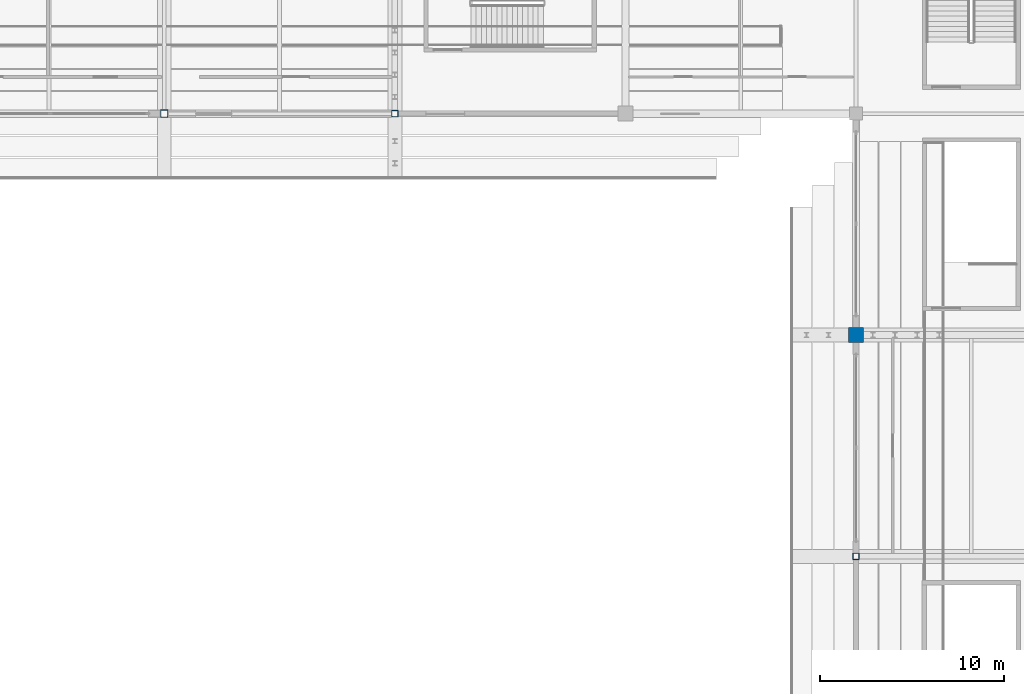
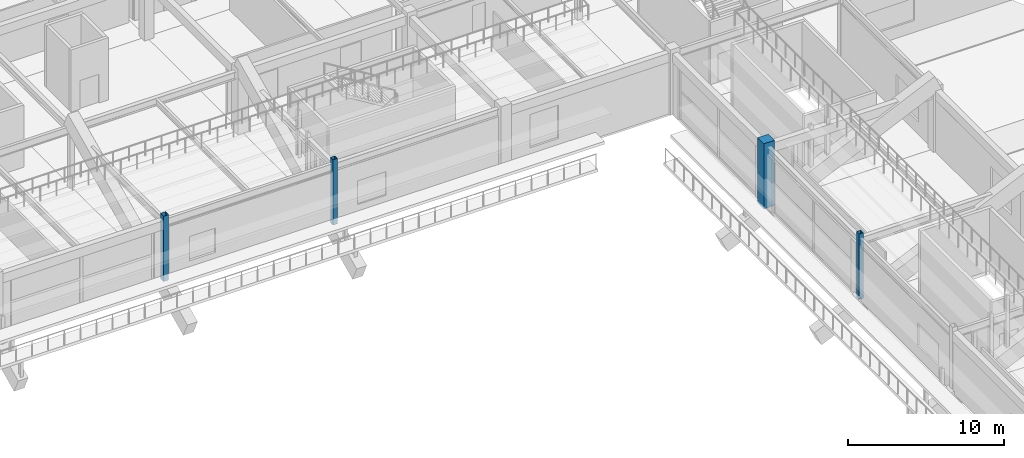
# One storey, part 16 of 128: 4 columns.
"""IFC4 building model written with IfcOpenShell, lengths in metres."""

from ifc_helpers import new_model, si_unit, direction, frame, origin, origin_2d, place, context, subcontext, project, spatial, rectangle, hollow_rectangle, extrude, material, material_profile, profile_set, type_object, element, save


model = new_model("IFC4")

# Units and contexts
model_context = context("Model", 3, precision=1e-05, world=origin(), true_north=direction((0.0, 1.0)))
body_context = subcontext(model_context, "Body", "Model", "MODEL_VIEW")
ifc_project = project(units=[si_unit("LENGTHUNIT", "METRE"), si_unit("AREAUNIT", "SQUARE_METRE"), si_unit("VOLUMEUNIT", "CUBIC_METRE"), si_unit("PLANEANGLEUNIT", "RADIAN"), si_unit("MASSUNIT", "GRAM", prefix="KILO")], contexts=[model_context])

# Site, building, storey
site_placement = place(None, origin())
site = spatial("IfcSite", under=ifc_project, at=site_placement, CompositionType="ELEMENT")
building_placement = place(site_placement, origin())
building = spatial("IfcBuilding", under=site, at=building_placement, Name="Kazenohara Klinker Stadium", CompositionType="ELEMENT")
storey_placement = place(building_placement, frame((0.0, 0.0, 15.300048828125)))
storey = spatial("IfcBuildingStorey", under=building, at=storey_placement, Name="L03", CompositionType="ELEMENT", Elevation=15.300048828125)

# Columns
ifc_material_1 = material(Name="Concrete C40/50", Category="concrete")
ifc_material_profile_1 = material_profile(ifc_material_1, rectangle(XDim=0.800048828125, YDim=0.800048828125, at=origin_2d()), Name="RC-COL-800x800")
ifc_profile_set_1 = profile_set([ifc_material_profile_1], Name="Concrete C40/50")
column_type_1 = type_object("IfcColumnType", Name="COL-RC05", PredefinedType="COLUMN", material=ifc_profile_set_1)
column_1_placement = place(storey_placement, frame((175.0, 120.0, 0.0), z_axis=(0.0, 0.0, 1.0), x_axis=(1.0, 0.0, 0.0)))
element("IfcColumn", 1, at=column_1_placement, inside=storey, type_object=column_type_1, Name="Column C05 L03 15/L", PredefinedType="COLUMN", context=body_context, shape_type="SweptSolid", body=[
    extrude(rectangle(XDim=0.800048828125, YDim=0.800048828125, at=origin_2d()), origin(), (0.0, 0.0, 1.0), 5.099853515625),
])
ifc_material_2 = material(Name="Steel S355", Category="steel")
ifc_material_profile_2 = material_profile(ifc_material_2, hollow_rectangle(XDim=0.39990234375, YDim=0.39990234375, WallThickness=0.01611328125, InnerFilletRadius=0.01611328125, OuterFilletRadius=0.031982421875, at=origin_2d()), Name="SHS-400x400x16")
ifc_profile_set_2 = profile_set([ifc_material_profile_2], Name="Steel S355")
column_type_2 = type_object("IfcColumnType", Name="COL-ST01", PredefinedType="COLUMN", material=ifc_profile_set_2)
column_2_placement = place(storey_placement, frame((137.5, 132.0, 0.0), z_axis=(0.0, 0.0, 1.0), x_axis=(1.0, 0.0, 0.0)))
element("IfcColumn", 2, at=column_2_placement, inside=storey, type_object=column_type_2, Name="Column SC01 L03 12/M", PredefinedType="COLUMN", context=body_context, shape_type="SweptSolid", body=[
    extrude(hollow_rectangle(XDim=0.39990234375, YDim=0.39990234375, WallThickness=0.01611328125, InnerFilletRadius=0.01611328125, OuterFilletRadius=0.031982421875, at=origin_2d()), origin(), (0.0, 0.0, 1.0), 5.099853515625),
])
ifc_material_profile_3 = material_profile(ifc_material_2, hollow_rectangle(XDim=0.35009765625, YDim=0.35009765625, WallThickness=0.01611328125, InnerFilletRadius=0.01611328125, OuterFilletRadius=0.031982421875, at=origin_2d()), Name="SHS-350x350x16")
ifc_profile_set_3 = profile_set([ifc_material_profile_3], Name="Steel S355")
column_type_3 = type_object("IfcColumnType", Name="COL-ST02", PredefinedType="COLUMN", material=ifc_profile_set_3)
for number, where, z_axis, x_axis, name in (
    (3, (150.0, 132.0, 0.0), (0.0, 0.0, 1.0), (1.0, 0.0, 0.0), "Column SC02 L03 13/M"),
    (4, (175.0, 108.0, 0.0), (0.0, 0.0, 1.0), (1.0, 0.0, 0.0), "Column SC02 L03 15/K"),
):
    element("IfcColumn", number, at=place(storey_placement, frame(where, z_axis=z_axis, x_axis=x_axis)), inside=storey, type_object=column_type_3, Name=name, PredefinedType="COLUMN", context=body_context, shape_type="SweptSolid", body=[
        extrude(hollow_rectangle(XDim=0.35009765625, YDim=0.35009765625, WallThickness=0.01611328125, InnerFilletRadius=0.01611328125, OuterFilletRadius=0.031982421875, at=origin_2d()), origin(), (0.0, 0.0, 1.0), 5.099853515625),
    ])

save(model, "model.ifc")
